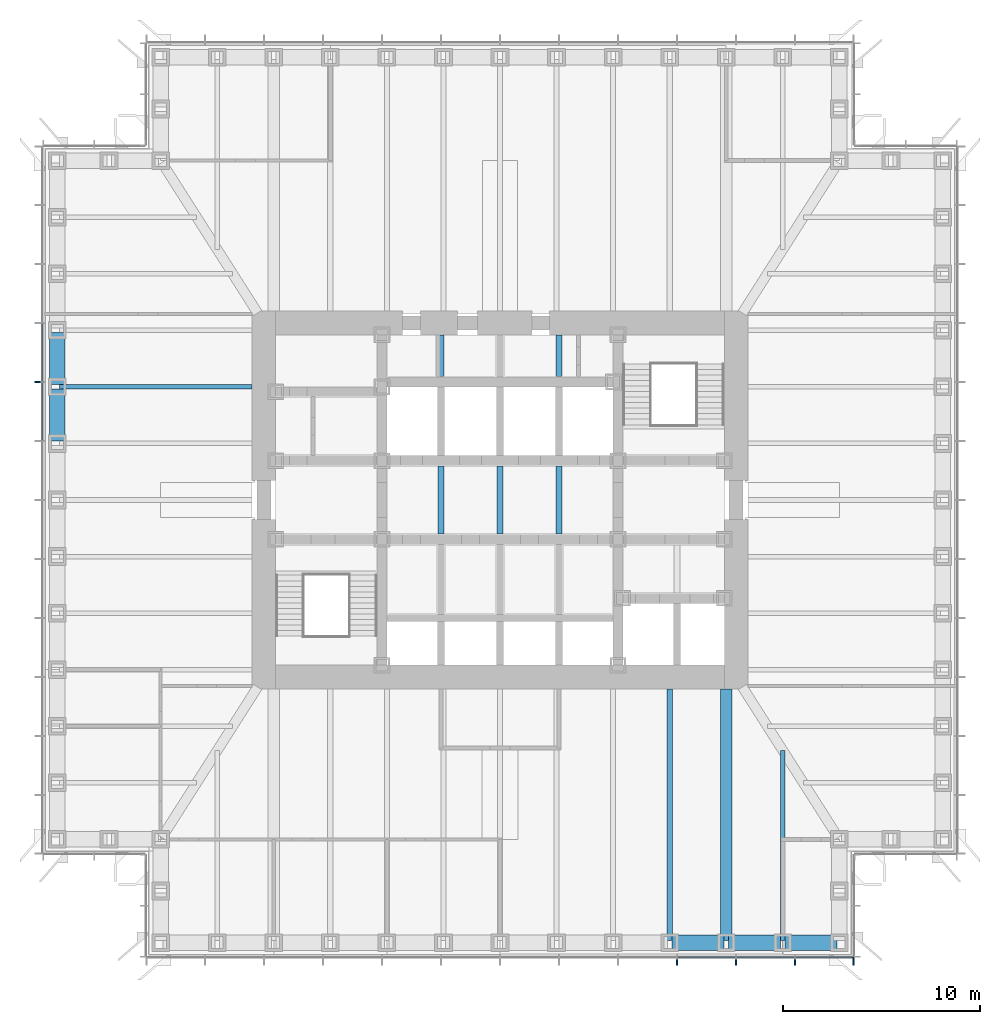
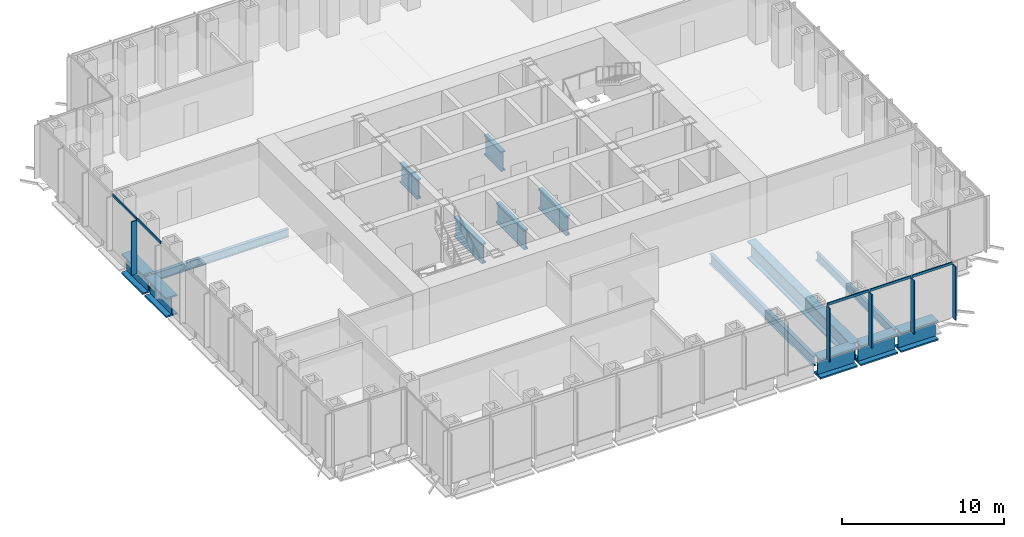
# One storey, part 3 of 17: 14 beams, 10 members, 2 elements without a shape of their own.
"""IFC4 building model written with IfcOpenShell, lengths in metres."""

from ifc_helpers import new_model, si_unit, direction, frame, origin, origin_2d, place, context, subcontext, project, spatial, rectangle, i_section, extrude, material, material_profile, profile_set, type_object, element, aggregate, save


model = new_model("IFC4")

# Units and contexts
model_context = context("Model", 3, precision=1e-05, world=origin(), true_north=direction((0.0, 1.0)))
body_context = subcontext(model_context, "Body", "Model", "MODEL_VIEW")
ifc_project = project(units=[si_unit("LENGTHUNIT", "METRE"), si_unit("AREAUNIT", "SQUARE_METRE"), si_unit("VOLUMEUNIT", "CUBIC_METRE"), si_unit("PLANEANGLEUNIT", "RADIAN"), si_unit("MASSUNIT", "GRAM", prefix="KILO")], contexts=[model_context])

# Site, building, storey
site_placement = place(None, origin())
site = spatial("IfcSite", under=ifc_project, at=site_placement, CompositionType="ELEMENT")
building_placement = place(site_placement, origin())
building = spatial("IfcBuilding", under=site, at=building_placement, Name="Daluyong Arena Tower", CompositionType="ELEMENT")
storey_placement = place(building_placement, frame((0.0, 0.0, 112.300048828125)))
storey = spatial("IfcBuildingStorey", under=building, at=storey_placement, Name="L24", CompositionType="ELEMENT", Elevation=112.300048828125)

# Curtain wall, members
ifc_material_1 = material(Name="Bronze anodised aluminium and glass", Category="aluminium")
curtain_wall_type = type_object("IfcCurtainWallType", Name="Curtain wall CW2", PredefinedType="USERDEFINED", material=ifc_material_1)
curtain_wall_1_placement = place(storey_placement, origin())
curtain_wall_1 = element("IfcCurtainWall", 1, at=curtain_wall_1_placement, inside=storey, type_object=curtain_wall_type, Name="curtain wall L24 S", ObjectType="UNITISED CURTAIN WALL", PredefinedType="USERDEFINED")
ifc_material_2 = material(Name="Bronze anodised aluminium fin", Category="aluminium")
ifc_material_profile_1 = material_profile(ifc_material_2, rectangle(XDim=0.39990234375, YDim=0.080078125, at=origin_2d()))
ifc_profile_set_1 = profile_set([ifc_material_profile_1], Name="Bronze anodised aluminium fin")
member_type_1 = type_object("IfcMemberType", Name="CW2 bronze fin 400x80", PredefinedType="MULLION", material=ifc_profile_set_1)
member_1_placement = place(storey_placement, frame((65.0, 56.550048828125, 0.0), z_axis=(0.0, 0.0, 1.0), x_axis=(0.0, 1.0, 0.0)))
member_1 = element("IfcMember", 2, at=member_1_placement, type_object=member_type_1, Name="curtain wall L24 S fin 10", PredefinedType="MULLION", context=body_context, shape_type="SweptSolid", body=[
    extrude(rectangle(XDim=0.39990234375, YDim=0.080078125, at=origin_2d()), origin(), (0.0, 0.0, 1.0), 4.02001953125),
])
member_2_placement = place(storey_placement, frame((68.0, 56.550048828125, 0.0), z_axis=(0.0, 0.0, 1.0), x_axis=(0.0, 1.0, 0.0)))
member_2 = element("IfcMember", 3, at=member_2_placement, type_object=member_type_1, Name="curtain wall L24 S fin 11", PredefinedType="MULLION", context=body_context, shape_type="SweptSolid", body=[
    extrude(rectangle(XDim=0.39990234375, YDim=0.080078125, at=origin_2d()), origin(), (0.0, 0.0, 1.0), 4.02001953125),
])
member_3_placement = place(storey_placement, frame((71.0, 56.550048828125, 0.0), z_axis=(0.0, 0.0, 1.0), x_axis=(0.0, 1.0, 0.0)))
member_3 = element("IfcMember", 4, at=member_3_placement, type_object=member_type_1, Name="curtain wall L24 S fin 12", PredefinedType="MULLION", context=body_context, shape_type="SweptSolid", body=[
    extrude(rectangle(XDim=0.39990234375, YDim=0.080078125, at=origin_2d()), origin(), (0.0, 0.0, 1.0), 4.02001953125),
])
member_4_placement = place(storey_placement, frame((73.9599609375, 56.550048828125, 0.0), z_axis=(0.0, 0.0, 1.0), x_axis=(0.0, 1.0, 0.0)))
member_4 = element("IfcMember", 5, at=member_4_placement, type_object=member_type_1, Name="curtain wall L24 S fin 13", PredefinedType="MULLION", context=body_context, shape_type="SweptSolid", body=[
    extrude(rectangle(XDim=0.39990234375, YDim=0.080078125, at=origin_2d()), origin(), (0.0, 0.0, 1.0), 4.02001953125),
])

# Curtain wall, member
curtain_wall_2_placement = place(storey_placement, origin())
curtain_wall_2 = element("IfcCurtainWall", 6, at=curtain_wall_2_placement, inside=storey, type_object=curtain_wall_type, Name="curtain wall L24 W", ObjectType="UNITISED CURTAIN WALL", PredefinedType="USERDEFINED")
member_5_placement = place(storey_placement, frame((32.550048828125, 86.0, 0.0), z_axis=(0.0, 0.0, 1.0), x_axis=(1.0, 0.0, 0.0)))
member_5 = element("IfcMember", 7, at=member_5_placement, type_object=member_type_1, Name="curtain wall L24 W fin 5", PredefinedType="MULLION", context=body_context, shape_type="SweptSolid", body=[
    extrude(rectangle(XDim=0.39990234375, YDim=0.080078125, at=origin_2d()), origin(), (0.0, 0.0, 1.0), 4.02001953125),
])

# Member
ifc_material_3 = material(Name="Bronze anodised aluminium", Category="aluminium")
ifc_material_profile_2 = material_profile(ifc_material_3, rectangle(XDim=0.080078125, YDim=0.179931640625, at=origin_2d()))
ifc_profile_set_2 = profile_set([ifc_material_profile_2], Name="Bronze anodised aluminium")
member_type_2 = type_object("IfcMemberType", Name="CW2 stack transom 180x80", PredefinedType="USERDEFINED", material=ifc_profile_set_2)
member_6_placement = place(storey_placement, frame((65.0400390625, 56.75, 4.10986328125), z_axis=(1.0, 0.0, 0.0), x_axis=(0.0, 1.0, 0.0)))
member_6 = element("IfcMember", 8, at=member_6_placement, type_object=member_type_2, Name="curtain wall L24 S transom 10", ObjectType="TRANSOM", PredefinedType="USERDEFINED", context=body_context, shape_type="SweptSolid", body=[
    extrude(rectangle(XDim=0.080078125, YDim=0.179931640625, at=origin_2d()), origin(), (0.0, 0.0, 1.0), 2.919921875),
])

member_7_placement = place(storey_placement, frame((68.0400390625, 56.75, 4.10986328125), z_axis=(1.0, 0.0, 0.0), x_axis=(0.0, 1.0, 0.0)))
member_7 = element("IfcMember", 9, at=member_7_placement, type_object=member_type_2, Name="curtain wall L24 S transom 11", ObjectType="TRANSOM", PredefinedType="USERDEFINED", context=body_context, shape_type="SweptSolid", body=[
    extrude(rectangle(XDim=0.080078125, YDim=0.179931640625, at=origin_2d()), origin(), (0.0, 0.0, 1.0), 2.919921875),
])

member_8_placement = place(storey_placement, frame((71.0400390625, 56.75, 4.10986328125), z_axis=(1.0, 0.0, 0.0), x_axis=(0.0, 1.0, 0.0)))
member_8 = element("IfcMember", 10, at=member_8_placement, type_object=member_type_2, Name="curtain wall L24 S transom 12", ObjectType="TRANSOM", PredefinedType="USERDEFINED", context=body_context, shape_type="SweptSolid", body=[
    extrude(rectangle(XDim=0.080078125, YDim=0.179931640625, at=origin_2d()), origin(), (0.0, 0.0, 1.0), 2.8798828125),
])

aggregate(curtain_wall_1, [member_1, member_2, member_3, member_4, member_6, member_7, member_8])

member_9_placement = place(storey_placement, frame((32.75, 88.9599609375, 4.10986328125), z_axis=(0.0, -1.0, 0.0), x_axis=(1.0, 0.0, 0.0)))
member_9 = element("IfcMember", 11, at=member_9_placement, type_object=member_type_2, Name="curtain wall L24 W transom 4", ObjectType="TRANSOM", PredefinedType="USERDEFINED", context=body_context, shape_type="SweptSolid", body=[
    extrude(rectangle(XDim=0.080078125, YDim=0.179931640625, at=origin_2d()), origin(), (0.0, 0.0, 1.0), 2.919921875),
])

member_10_placement = place(storey_placement, frame((32.75, 85.9599609375, 4.10986328125), z_axis=(0.0, -1.0, 0.0), x_axis=(1.0, 0.0, 0.0)))
member_10 = element("IfcMember", 12, at=member_10_placement, type_object=member_type_2, Name="curtain wall L24 W transom 5", ObjectType="TRANSOM", PredefinedType="USERDEFINED", context=body_context, shape_type="SweptSolid", body=[
    extrude(rectangle(XDim=0.080078125, YDim=0.179931640625, at=origin_2d()), origin(), (0.0, 0.0, 1.0), 2.919921875),
])

aggregate(curtain_wall_2, [member_5, member_9, member_10])

# Beams
ifc_material_4 = material(Name="Steel ASTM A572 Grade 50", Category="steel")
ifc_material_profile_3 = material_profile(ifc_material_4, i_section(OverallWidth=0.60009765625, OverallDepth=1.300048828125, WebThickness=0.035, FlangeThickness=0.07, at=origin_2d()))
ifc_profile_set_3 = profile_set([ifc_material_profile_3], Name="Steel ASTM A572 Grade 50")
beam_type_1 = type_object("IfcBeamType", Name="Floor beam TB1300X600", PredefinedType="BEAM", material=ifc_profile_set_3)
beam_1_placement = place(storey_placement, frame((67.5, 57.614990234375, -0.81005859375), z_axis=(0.0, 1.0, 0.0), x_axis=(-1.0, 0.0, 0.0)))
element("IfcBeam", 13, at=beam_1_placement, inside=storey, type_object=beam_type_1, Name="floor beam FB7", PredefinedType="BEAM", context=body_context, shape_type="SweptSolid", body=[
    extrude(i_section(OverallWidth=0.60009765625, OverallDepth=1.300048828125, WebThickness=0.035, FlangeThickness=0.07, at=origin_2d()), origin(), (0.0, 0.0, 1.0), 12.784912109375),
])
ifc_material_5 = material(Name="Steel ASTM A992 Grade 50", Category="steel")
ifc_material_profile_4 = material_profile(ifc_material_5, i_section(OverallWidth=0.22900390625, OverallDepth=0.612060546875, WebThickness=0.011962890625, FlangeThickness=0.01953125, at=origin_2d()))
ifc_profile_set_4 = profile_set([ifc_material_profile_4], Name="Steel ASTM A992 Grade 50")
beam_type_2 = type_object("IfcBeamType", Name="Floor beam W24X84", PredefinedType="BEAM", material=ifc_profile_set_4)
beam_2_placement = place(storey_placement, frame((70.375, 57.614990234375, -0.466064453125), z_axis=(0.0, 1.0, 0.0), x_axis=(-1.0, 0.0, 0.0)))
element("IfcBeam", 14, at=beam_2_placement, inside=storey, type_object=beam_type_2, Name="floor beam FB3", PredefinedType="BEAM", context=body_context, shape_type="SweptSolid", body=[
    extrude(i_section(OverallWidth=0.22900390625, OverallDepth=0.612060546875, WebThickness=0.011962890625, FlangeThickness=0.01953125, at=origin_2d()), origin(), (0.0, 0.0, 1.0), 9.65283203125),
])
beam_3_placement = place(storey_placement, frame((33.614990234375, 85.75, -0.466064453125), z_axis=(1.0, 0.0, 0.0), x_axis=(0.0, 1.0, 0.0)))
element("IfcBeam", 15, at=beam_3_placement, inside=storey, type_object=beam_type_2, Name="floor beam FB3", PredefinedType="BEAM", context=body_context, shape_type="SweptSolid", body=[
    extrude(i_section(OverallWidth=0.22900390625, OverallDepth=0.612060546875, WebThickness=0.011962890625, FlangeThickness=0.01953125, at=origin_2d()), origin(), (0.0, 0.0, 1.0), 9.784912109375),
])
ifc_material_6 = material(Name="Steel ASTM A992 Grade 50", Category="steel")
ifc_material_profile_5 = material_profile(ifc_material_6, i_section(OverallWidth=0.2666015625, OverallDepth=0.761962890625, WebThickness=0.014404296875, FlangeThickness=0.021484375, at=origin_2d()))
ifc_profile_set_5 = profile_set([ifc_material_profile_5], Name="Steel ASTM A992 Grade 50")
beam_type_3 = type_object("IfcBeamType", Name="Floor beam W30X116", PredefinedType="BEAM", material=ifc_profile_set_5)
beam_4_placement = place(storey_placement, frame((64.625, 57.614990234375, -0.541015625), z_axis=(0.0, 1.0, 0.0), x_axis=(-1.0, 0.0, 0.0)))
element("IfcBeam", 16, at=beam_4_placement, inside=storey, type_object=beam_type_3, Name="floor beam FB4", PredefinedType="BEAM", context=body_context, shape_type="SweptSolid", body=[
    extrude(i_section(OverallWidth=0.2666015625, OverallDepth=0.761962890625, WebThickness=0.014404296875, FlangeThickness=0.021484375, at=origin_2d()), origin(), (0.0, 0.0, 1.0), 12.784912109375),
])
ifc_material_7 = material(Name="Steel ASTM A572 Grade 50", Category="steel")
ifc_material_profile_6 = material_profile(ifc_material_7, i_section(OverallWidth=0.300048828125, OverallDepth=1.5, WebThickness=0.04, FlangeThickness=0.1, at=origin_2d()))
ifc_profile_set_6 = profile_set([ifc_material_profile_6], Name="Steel ASTM A572 Grade 50")
beam_type_4 = type_object("IfcBeamType", Name="Lift divider beam PG1500X300", PredefinedType="BEAM", material=ifc_profile_set_6)
beam_5_placement = place(storey_placement, frame((53.0, 78.27490234375, -0.91015625), z_axis=(0.0, 1.0, 0.0), x_axis=(-1.0, 0.0, 0.0)))
element("IfcBeam", 17, at=beam_5_placement, inside=storey, type_object=beam_type_4, Name="lift divider beam DB2", PredefinedType="BEAM", context=body_context, shape_type="SweptSolid", body=[
    extrude(i_section(OverallWidth=0.300048828125, OverallDepth=1.5, WebThickness=0.04, FlangeThickness=0.1, at=origin_2d()), origin(), (0.0, 0.0, 1.0), 3.4501953125),
])
beam_6_placement = place(storey_placement, frame((53.0, 86.27490234375, -0.91015625), z_axis=(0.0, 1.0, 0.0), x_axis=(-1.0, 0.0, 0.0)))
element("IfcBeam", 18, at=beam_6_placement, inside=storey, type_object=beam_type_4, Name="lift divider beam DB2", PredefinedType="BEAM", context=body_context, shape_type="SweptSolid", body=[
    extrude(i_section(OverallWidth=0.300048828125, OverallDepth=1.5, WebThickness=0.04, FlangeThickness=0.1, at=origin_2d()), origin(), (0.0, 0.0, 1.0), 2.125),
])
for number, where, z_axis, x_axis, name in (
    (19, (56.0, 78.27490234375, -0.91015625), (0.0, 1.0, 0.0), (-1.0, 0.0, 0.0), "lift divider beam DB2"),
    (20, (59.0, 78.27490234375, -0.91015625), (0.0, 1.0, 0.0), (-1.0, 0.0, 0.0), "lift divider beam DB2"),
):
    element("IfcBeam", number, at=place(storey_placement, frame(where, z_axis=z_axis, x_axis=x_axis)), inside=storey, type_object=beam_type_4, Name=name, PredefinedType="BEAM", context=body_context, shape_type="SweptSolid", body=[
        extrude(i_section(OverallWidth=0.300048828125, OverallDepth=1.5, WebThickness=0.04, FlangeThickness=0.1, at=origin_2d()), origin(), (0.0, 0.0, 1.0), 3.4501953125),
    ])
beam_7_placement = place(storey_placement, frame((59.0, 86.27490234375, -0.91015625), z_axis=(0.0, 1.0, 0.0), x_axis=(-1.0, 0.0, 0.0)))
element("IfcBeam", 21, at=beam_7_placement, inside=storey, type_object=beam_type_4, Name="lift divider beam DB2", PredefinedType="BEAM", context=body_context, shape_type="SweptSolid", body=[
    extrude(i_section(OverallWidth=0.300048828125, OverallDepth=1.5, WebThickness=0.04, FlangeThickness=0.1, at=origin_2d()), origin(), (0.0, 0.0, 1.0), 2.125),
])
ifc_material_8 = material(Name="Steel ASTM A588 Grade 50", Category="steel")
ifc_material_profile_7 = material_profile(ifc_material_8, i_section(OverallWidth=0.800048828125, OverallDepth=1.5, WebThickness=0.05, FlangeThickness=0.12, at=origin_2d()))
ifc_profile_set_7 = profile_set([ifc_material_profile_7], Name="Steel ASTM A588 Grade 50")
beam_type_5 = type_object("IfcBeamType", Name="Spandrel Z2 PG1500X800", PredefinedType="SPANDREL", material=ifc_profile_set_7)
for number, where, z_axis, x_axis, name in (
    (22, (64.739990234375, 57.5, -0.91015625), (1.0, 0.0, 0.0), (0.0, 1.0, 0.0), "spandrel z2 SB5"),
    (23, (67.614990234375, 57.5, -0.91015625), (1.0, 0.0, 0.0), (0.0, 1.0, 0.0), "spandrel z2 SB5"),
    (24, (70.489990234375, 57.5, -0.91015625), (1.0, 0.0, 0.0), (0.0, 1.0, 0.0), "spandrel z2 SB5"),
    (25, (33.5, 88.510009765625, -0.91015625), (0.0, -1.0, 0.0), (1.0, 0.0, 0.0), "spandrel z2 SB5"),
    (26, (33.5, 85.635009765625, -0.91015625), (0.0, -1.0, 0.0), (1.0, 0.0, 0.0), "spandrel z2 SB5"),
):
    element("IfcBeam", number, at=place(storey_placement, frame(where, z_axis=z_axis, x_axis=x_axis)), inside=storey, type_object=beam_type_5, Name=name, PredefinedType="SPANDREL", context=body_context, shape_type="SweptSolid", body=[
        extrude(i_section(OverallWidth=0.800048828125, OverallDepth=1.5, WebThickness=0.05, FlangeThickness=0.12, at=origin_2d()), origin(), (0.0, 0.0, 1.0), 2.64501953125),
    ])

save(model, "model.ifc")
